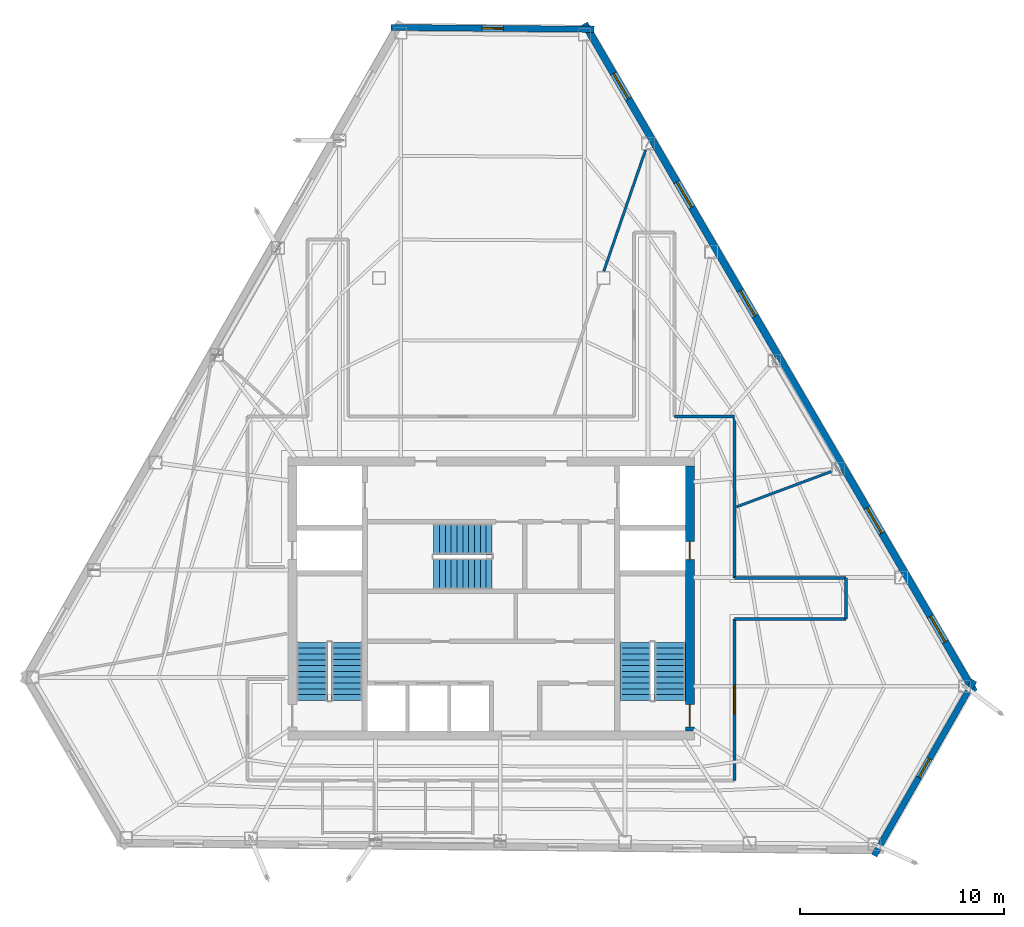
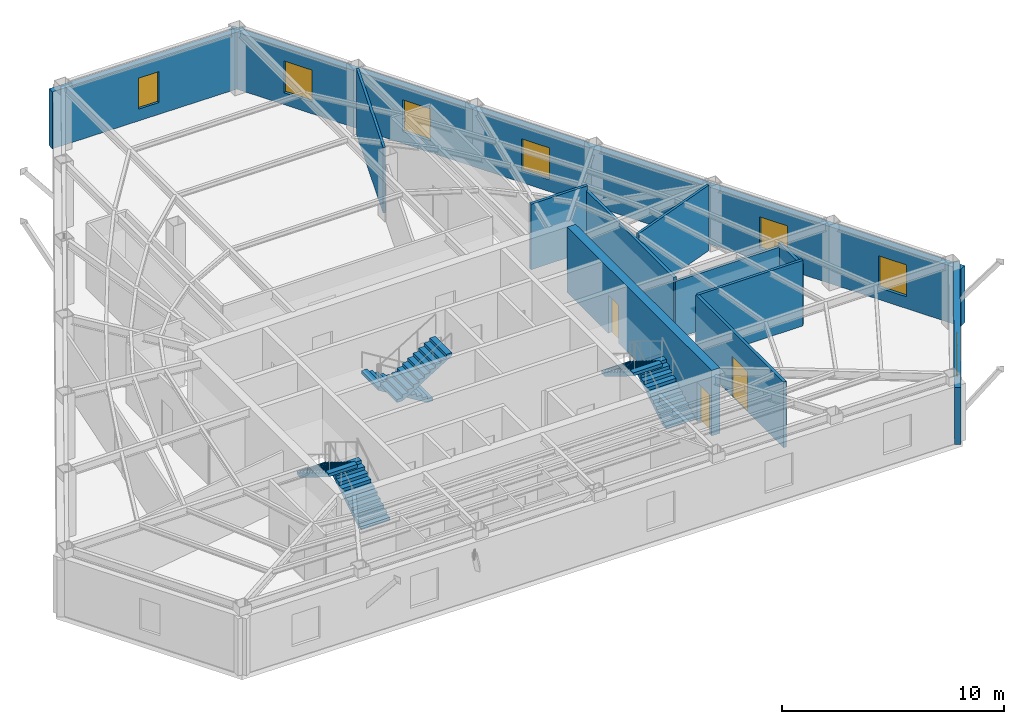
# One storey, part 9 of 10: 12 walls, 7 windows, 6 stair flights, 3 doors, 10 openings, 3 elements without a shape of their own.
"""IFC4 building model written with IfcOpenShell, lengths in metres."""

from ifc_helpers import new_model, si_unit, direction, frame, frame_2d, origin, place, context, subcontext, project, spatial, polyline, rectangle, outline, extrude, material, layer, layer_set, type_object, element, fill, aggregate, save


model = new_model("IFC4")

# Units and contexts
model_context = context("Model", 3, precision=1e-05, world=origin(), true_north=direction((0.0, 1.0)))
body_context = subcontext(model_context, "Body", "Model", "MODEL_VIEW")
ifc_project = project(units=[si_unit("LENGTHUNIT", "METRE"), si_unit("AREAUNIT", "SQUARE_METRE"), si_unit("VOLUMEUNIT", "CUBIC_METRE"), si_unit("PLANEANGLEUNIT", "RADIAN"), si_unit("MASSUNIT", "GRAM", prefix="KILO")], contexts=[model_context])

# Site, building, storey
site_placement = place(None, origin())
site = spatial("IfcSite", under=ifc_project, at=site_placement, CompositionType="ELEMENT")
building_placement = place(site_placement, origin())
building = spatial("IfcBuilding", under=site, at=building_placement, Name="Kavelnor Concourse Tower", CompositionType="ELEMENT")
storey_placement = place(building_placement, frame((0.0, 0.0, 188.10009765625)))
storey = spatial("IfcBuildingStorey", under=building, at=storey_placement, Name="L47", CompositionType="ELEMENT", Elevation=188.10009765625)

# Wall, openings, doors
ifc_material_1 = material(Name="Concrete C50/60", Category="concrete")
ifc_layer_1 = layer(ifc_material_1, 0.43994140625, Name="Concrete C50/60")
ifc_layer_set_1 = layer_set([ifc_layer_1], Name="Concrete C50/60")
wall_type_1 = type_object("IfcWallType", Name="WL-CORE-Z3-440", PredefinedType="SOLIDWALL", material=ifc_layer_set_1)
wall_1_placement = place(storey_placement, frame((47.739990234375, 9.60009765625, 0.0), z_axis=(0.0, 0.0, 1.0), x_axis=(0.0, 1.0, 0.0)))
wall_1 = element("IfcWall", 1, at=wall_1_placement, inside=storey, type_object=wall_type_1, Name="L47 Central Core East Shear Wall", PredefinedType="SOLIDWALL", context=body_context, shape_type="SweptSolid", body=[
    extrude(rectangle(XDim=13.0, YDim=0.43994140625, at=frame_2d((6.5, 0.0))), origin(), (0.0, 0.0, 1.0), 3.599853515625),
])
opening_1_placement = place(wall_1_placement, frame((0.199951171875, 0.0, 0.0)))
opening_1 = element("IfcOpeningElement", 2, at=opening_1_placement, cuts=wall_1, Name="Opening FD-110", PredefinedType="OPENING", context=body_context, shape_type="SweptSolid", body=[
    extrude(rectangle(XDim=1.10009765625, YDim=2.14990234375, at=frame_2d((0.550048828125, 1.074951171875))), frame((0.0, 0.22998046875, 0.0), z_axis=(0.0, -1.0, 0.0), x_axis=(1.0, 0.0, 0.0)), (0.0, 0.0, 1.0), 0.4599609375),
])
opening_2_placement = place(wall_1_placement, frame((8.39990234375, 0.0, 0.0)))
opening_2 = element("IfcOpeningElement", 3, at=opening_2_placement, cuts=wall_1, Name="Opening FD-090", PredefinedType="OPENING", context=body_context, shape_type="SweptSolid", body=[
    extrude(rectangle(XDim=0.89990234375, YDim=2.10009765625, at=frame_2d((0.449951171875, 1.050048828125))), frame((0.0, 0.22998046875, 0.0), z_axis=(0.0, -1.0, 0.0), x_axis=(1.0, 0.0, 0.0)), (0.0, 0.0, 1.0), 0.4599609375),
])
ifc_material_2 = material(Name="Steel Grade 350", Category="steel")
door_type_1 = type_object("IfcDoorType", Name="DR-RISER-FIRE-900", OperationType="NOTDEFINED", PredefinedType="DOOR", material=ifc_material_2)
door_1_placement = place(opening_2_placement, origin())
door_1 = element("IfcDoor", 4, at=door_1_placement, inside=storey, type_object=door_type_1, Name="L47 East Riser Access Door", OperationType="SINGLE_SWING_LEFT", OverallHeight=2.10009765625, OverallWidth=0.89990234375, PredefinedType="DOOR", context=body_context, shape_type="SweptSolid", body=[
    extrude(rectangle(XDim=0.89990234375, YDim=2.10009765625, at=frame_2d((0.449951171875, 1.050048828125))), frame((0.0, 0.02490234375, 0.0), z_axis=(0.0, -1.0, 0.0), x_axis=(1.0, 0.0, 0.0)), (0.0, 0.0, 1.0), 0.050048828125),
])
fill(opening_2, door_1)
door_type_2 = type_object("IfcDoorType", Name="DR-STAIR-FIRE-1100", OperationType="NOTDEFINED", PredefinedType="DOOR", material=ifc_material_2)
door_2_placement = place(opening_1_placement, origin())
door_2 = element("IfcDoor", 5, at=door_2_placement, inside=storey, type_object=door_type_2, Name="L47 Stair ST2 Fire Door", OperationType="SINGLE_SWING_RIGHT", OverallHeight=2.14990234375, OverallWidth=1.10009765625, PredefinedType="DOOR", context=body_context, shape_type="SweptSolid", body=[
    extrude(rectangle(XDim=1.10009765625, YDim=2.14990234375, at=frame_2d((0.550048828125, 1.074951171875))), frame((0.0, 0.02490234375, 0.0), z_axis=(0.0, -1.0, 0.0), x_axis=(1.0, 0.0, 0.0)), (0.0, 0.0, 1.0), 0.050048828125),
])
fill(opening_1, door_2)

# Wall, opening, window
ifc_material_3 = material(Name="Buff ironspot clay face brick masonry", Category="masonry")
ifc_layer_2 = layer(ifc_material_3, 0.300048828125, Name="Buff ironspot clay face brick masonry")
ifc_layer_set_2 = layer_set([ifc_layer_2], Name="Buff ironspot clay face brick masonry")
wall_type_2 = type_object("IfcWallType", Name="WL-EXT-BUFF-BRICK-FOLD-300", PredefinedType="STANDARD", material=ifc_layer_set_2)
wall_2_placement = place(storey_placement, frame((33.09326171875, 44.08447265625, 0.0), z_axis=(0.0, 0.0, 1.0), x_axis=(0.999957994936, -0.009165607679, 0.0)))
wall_2 = element("IfcWall", 6, at=wall_2_placement, inside=storey, type_object=wall_type_2, Name="L47 Exterior Brick Facade Wall E0", PredefinedType="STANDARD", context=body_context, shape_type="SweptSolid", body=[
    extrude(rectangle(XDim=9.962158203125, YDim=0.300048828125, at=frame_2d((4.98095703125, 0.0))), origin(), (0.0, 0.0, 1.0), 3.1318359375),
])
opening_3_placement = place(wall_2_placement, frame((4.4560546875, 0.0, 0.64990234375)))
opening_3 = element("IfcOpeningElement", 7, at=opening_3_placement, cuts=wall_2, Name="Opening W-06", PredefinedType="OPENING", context=body_context, shape_type="SweptSolid", body=[
    extrude(rectangle(XDim=1.050048828125, YDim=1.699951171875, at=frame_2d((0.52490234375, 0.85009765625))), frame((0.0, 0.16015625, 0.0), z_axis=(0.0, -1.0, 0.0), x_axis=(1.0, 0.0, 0.0)), (0.0, 0.0, 1.0), 0.320068359375),
])
ifc_material_4 = material(Name="Double low-E argon insulated glazing", Category="glass")
window_type_1 = type_object("IfcWindowType", Name="WIN-FOLD-1050", PartitioningType="SINGLE_PANEL", PredefinedType="WINDOW", material=ifc_material_4)
window_1_placement = place(opening_3_placement, origin())
window_1 = element("IfcWindow", 8, at=window_1_placement, inside=storey, type_object=window_type_1, Name="L47 Chamfer-Fold Facet Window C0", OverallHeight=1.699951171875, OverallWidth=1.050048828125, PartitioningType="SINGLE_PANEL", PredefinedType="WINDOW", context=body_context, shape_type="SweptSolid", body=[
    extrude(rectangle(XDim=1.050048828125, YDim=1.699951171875, at=frame_2d((0.52490234375, 0.85009765625))), frame((0.0, 0.030029296875, 0.0), z_axis=(0.0, -1.0, 0.0), x_axis=(1.0, 0.0, 0.0)), (0.0, 0.0, 1.0), 0.06005859375),
])
fill(opening_3, window_1)

wall_3_placement = place(storey_placement, frame((61.6787109375, 12.079345703125, 0.0), z_axis=(0.0, 0.0, 1.0), x_axis=(-0.495989996522, -0.8683282348, 0.0)))
wall_3 = element("IfcWall", 9, at=wall_3_placement, inside=storey, type_object=wall_type_2, Name="L47 Exterior Brick Facade Wall E4", PredefinedType="STANDARD", context=body_context, shape_type="SweptSolid", body=[
    extrude(rectangle(XDim=9.885986328125, YDim=0.300048828125, at=frame_2d((4.94287109375, 0.0))), origin(), (0.0, 0.0, 1.0), 3.1318359375),
])
opening_4_placement = place(wall_3_placement, frame((4.41796875, 0.0, 0.64990234375)))
opening_4 = element("IfcOpeningElement", 10, at=opening_4_placement, cuts=wall_3, Name="Opening W-06", PredefinedType="OPENING", context=body_context, shape_type="SweptSolid", body=[
    extrude(rectangle(XDim=1.050048828125, YDim=1.699951171875, at=frame_2d((0.52490234375, 0.85009765625))), frame((0.0, 0.16015625, 0.0), z_axis=(0.0, -1.0, 0.0), x_axis=(1.0, 0.0, 0.0)), (0.0, 0.0, 1.0), 0.320068359375),
])
window_2_placement = place(opening_4_placement, origin())
window_2 = element("IfcWindow", 11, at=window_2_placement, inside=storey, type_object=window_type_1, Name="L47 Chamfer-Fold Facet Window C2", OverallHeight=1.699951171875, OverallWidth=1.050048828125, PartitioningType="SINGLE_PANEL", PredefinedType="WINDOW", context=body_context, shape_type="SweptSolid", body=[
    extrude(rectangle(XDim=1.050048828125, YDim=1.699951171875, at=frame_2d((0.52490234375, 0.85009765625))), frame((0.0, 0.030029296875, 0.0), z_axis=(0.0, -1.0, 0.0), x_axis=(1.0, 0.0, 0.0)), (0.0, 0.0, 1.0), 0.06005859375),
])
fill(opening_4, window_2)

# Wall, openings, windows
ifc_material_5 = material(Name="Red-ochre clay face brick masonry", Category="masonry")
ifc_layer_3 = layer(ifc_material_5, 0.35009765625, Name="Red-ochre clay face brick masonry")
ifc_layer_set_3 = layer_set([ifc_layer_3], Name="Red-ochre clay face brick masonry")
wall_type_3 = type_object("IfcWallType", Name="WL-EXT-RED-BRICK-PIER-350", PredefinedType="STANDARD", material=ifc_layer_set_3)
wall_4_placement = place(storey_placement, frame((42.57470703125, 44.271728515625, 0.0), z_axis=(0.0, 0.0, 1.0), x_axis=(0.503934681705, -0.863741764982, 0.0)))
wall_4 = element("IfcWall", 12, at=wall_4_placement, inside=storey, type_object=wall_type_3, Name="L47 Exterior Brick Facade Wall E5", PredefinedType="STANDARD", context=body_context, shape_type="SweptSolid", body=[
    extrude(rectangle(XDim=37.9150390625, YDim=0.35009765625, at=frame_2d((18.95751953125, 0.0))), origin(), (0.0, 0.0, 1.0), 3.1318359375),
])
opening_5_placement = place(wall_4_placement, frame((33.632568359375, 0.0, 0.64990234375)))
opening_5 = element("IfcOpeningElement", 13, at=opening_5_placement, cuts=wall_4, Name="Opening W-03", PredefinedType="OPENING", context=body_context, shape_type="SweptSolid", body=[
    extrude(rectangle(XDim=1.449951171875, YDim=1.75, at=frame_2d((0.72509765625, 0.875))), frame((0.0, 0.18505859375, 0.0), z_axis=(0.0, -1.0, 0.0), x_axis=(1.0, 0.0, 0.0)), (0.0, 0.0, 1.0), 0.3701171875),
])
opening_6_placement = place(wall_4_placement, frame((27.4716796875, 0.0, 0.64990234375)))
opening_6 = element("IfcOpeningElement", 14, at=opening_6_placement, cuts=wall_4, Name="Opening W-03", PredefinedType="OPENING", context=body_context, shape_type="SweptSolid", body=[
    extrude(rectangle(XDim=1.449951171875, YDim=1.75, at=frame_2d((0.72509765625, 0.875))), frame((0.0, 0.18505859375, 0.0), z_axis=(0.0, -1.0, 0.0), x_axis=(1.0, 0.0, 0.0)), (0.0, 0.0, 1.0), 0.3701171875),
])
opening_7_placement = place(wall_4_placement, frame((15.14990234375, 0.0, 0.64990234375)))
opening_7 = element("IfcOpeningElement", 15, at=opening_7_placement, cuts=wall_4, Name="Opening W-03", PredefinedType="OPENING", context=body_context, shape_type="SweptSolid", body=[
    extrude(rectangle(XDim=1.449951171875, YDim=1.75, at=frame_2d((0.72509765625, 0.875))), frame((0.0, 0.18505859375, 0.0), z_axis=(0.0, -1.0, 0.0), x_axis=(1.0, 0.0, 0.0)), (0.0, 0.0, 1.0), 0.3701171875),
])
opening_8_placement = place(wall_4_placement, frame((8.989013671875, 0.0, 0.64990234375)))
opening_8 = element("IfcOpeningElement", 16, at=opening_8_placement, cuts=wall_4, Name="Opening W-03", PredefinedType="OPENING", context=body_context, shape_type="SweptSolid", body=[
    extrude(rectangle(XDim=1.449951171875, YDim=1.75, at=frame_2d((0.72509765625, 0.875))), frame((0.0, 0.18505859375, 0.0), z_axis=(0.0, -1.0, 0.0), x_axis=(1.0, 0.0, 0.0)), (0.0, 0.0, 1.0), 0.3701171875),
])
opening_9_placement = place(wall_4_placement, frame((2.828125, 0.0, 0.64990234375)))
opening_9 = element("IfcOpeningElement", 17, at=opening_9_placement, cuts=wall_4, Name="Opening W-03", PredefinedType="OPENING", context=body_context, shape_type="SweptSolid", body=[
    extrude(rectangle(XDim=1.449951171875, YDim=1.75, at=frame_2d((0.72509765625, 0.875))), frame((0.0, 0.18505859375, 0.0), z_axis=(0.0, -1.0, 0.0), x_axis=(1.0, 0.0, 0.0)), (0.0, 0.0, 1.0), 0.3701171875),
])
window_type_2 = type_object("IfcWindowType", Name="WIN-PIER-Z3-1500", PartitioningType="SINGLE_PANEL", PredefinedType="WINDOW", material=ifc_material_4)
window_3_placement = place(opening_5_placement, origin())
window_3 = element("IfcWindow", 18, at=window_3_placement, inside=storey, type_object=window_type_2, Name="L47 Deep-Set Brick Pier Window F2-B0", OverallHeight=1.75, OverallWidth=1.449951171875, PartitioningType="SINGLE_PANEL", PredefinedType="WINDOW", context=body_context, shape_type="SweptSolid", body=[
    extrude(rectangle(XDim=1.449951171875, YDim=1.75, at=frame_2d((0.72509765625, 0.875))), frame((0.0, 0.030029296875, 0.0), z_axis=(0.0, -1.0, 0.0), x_axis=(1.0, 0.0, 0.0)), (0.0, 0.0, 1.0), 0.06005859375),
])
fill(opening_5, window_3)
window_4_placement = place(opening_6_placement, origin())
window_4 = element("IfcWindow", 19, at=window_4_placement, inside=storey, type_object=window_type_2, Name="L47 Deep-Set Brick Pier Window F2-B1", OverallHeight=1.75, OverallWidth=1.449951171875, PartitioningType="SINGLE_PANEL", PredefinedType="WINDOW", context=body_context, shape_type="SweptSolid", body=[
    extrude(rectangle(XDim=1.449951171875, YDim=1.75, at=frame_2d((0.72509765625, 0.875))), frame((0.0, 0.030029296875, 0.0), z_axis=(0.0, -1.0, 0.0), x_axis=(1.0, 0.0, 0.0)), (0.0, 0.0, 1.0), 0.06005859375),
])
fill(opening_6, window_4)
window_5_placement = place(opening_7_placement, origin())
window_5 = element("IfcWindow", 20, at=window_5_placement, inside=storey, type_object=window_type_2, Name="L47 Deep-Set Brick Pier Window F2-B3", OverallHeight=1.75, OverallWidth=1.449951171875, PartitioningType="SINGLE_PANEL", PredefinedType="WINDOW", context=body_context, shape_type="SweptSolid", body=[
    extrude(rectangle(XDim=1.449951171875, YDim=1.75, at=frame_2d((0.72509765625, 0.875))), frame((0.0, 0.030029296875, 0.0), z_axis=(0.0, -1.0, 0.0), x_axis=(1.0, 0.0, 0.0)), (0.0, 0.0, 1.0), 0.06005859375),
])
fill(opening_7, window_5)
window_6_placement = place(opening_8_placement, origin())
window_6 = element("IfcWindow", 21, at=window_6_placement, inside=storey, type_object=window_type_2, Name="L47 Deep-Set Brick Pier Window F2-B4", OverallHeight=1.75, OverallWidth=1.449951171875, PartitioningType="SINGLE_PANEL", PredefinedType="WINDOW", context=body_context, shape_type="SweptSolid", body=[
    extrude(rectangle(XDim=1.449951171875, YDim=1.75, at=frame_2d((0.72509765625, 0.875))), frame((0.0, 0.030029296875, 0.0), z_axis=(0.0, -1.0, 0.0), x_axis=(1.0, 0.0, 0.0)), (0.0, 0.0, 1.0), 0.06005859375),
])
fill(opening_8, window_6)
window_7_placement = place(opening_9_placement, origin())
window_7 = element("IfcWindow", 22, at=window_7_placement, inside=storey, type_object=window_type_2, Name="L47 Deep-Set Brick Pier Window F2-B5", OverallHeight=1.75, OverallWidth=1.449951171875, PartitioningType="SINGLE_PANEL", PredefinedType="WINDOW", context=body_context, shape_type="SweptSolid", body=[
    extrude(rectangle(XDim=1.449951171875, YDim=1.75, at=frame_2d((0.72509765625, 0.875))), frame((0.0, 0.030029296875, 0.0), z_axis=(0.0, -1.0, 0.0), x_axis=(1.0, 0.0, 0.0)), (0.0, 0.0, 1.0), 0.06005859375),
])
fill(opening_9, window_7)

# Walls
ifc_material_6 = material(Name="Gypsum plasterboard on light-gauge steel studs", Category="steel")
ifc_layer_4 = layer(ifc_material_6, 0.14501953125, Name="Gypsum plasterboard on light-gauge steel studs")
ifc_layer_set_4 = layer_set([ifc_layer_4], Name="Gypsum plasterboard on light-gauge steel studs")
wall_type_4 = type_object("IfcWallType", Name="WL-INT-CORR-145", PredefinedType="PARTITIONING", material=ifc_layer_set_4)
wall_5_placement = place(storey_placement, frame((47.0, 25.02001953125, 0.0), z_axis=(0.0, 0.0, 1.0), x_axis=(1.0, 0.0, 0.0)))
element("IfcWall", 23, at=wall_5_placement, inside=storey, type_object=wall_type_4, Name="L47 Corridor Wall WL-L47-CR-11", PredefinedType="PARTITIONING", context=body_context, shape_type="SweptSolid", body=[
    extrude(rectangle(XDim=2.93994140625, YDim=0.14501953125, at=frame_2d((1.469970703125, 0.0))), origin(), (0.0, 0.0, 1.0), 3.599853515625),
])
wall_6_placement = place(storey_placement, frame((49.93994140625, 25.02001953125, 0.0), z_axis=(0.0, 0.0, 1.0), x_axis=(0.0, -1.0, 0.0)))
element("IfcWall", 24, at=wall_6_placement, inside=storey, type_object=wall_type_4, Name="L47 Corridor Wall WL-L47-CR-12", PredefinedType="PARTITIONING", context=body_context, shape_type="SweptSolid", body=[
    extrude(rectangle(XDim=7.919921875, YDim=0.14501953125, at=frame_2d((3.9599609375, 0.0))), origin(), (0.0, 0.0, 1.0), 3.3388671875),
])
wall_7_placement = place(storey_placement, frame((49.93994140625, 17.10009765625, 0.0), z_axis=(0.0, 0.0, 1.0), x_axis=(1.0, 0.0, 0.0)))
element("IfcWall", 25, at=wall_7_placement, inside=storey, type_object=wall_type_4, Name="L47 Corridor Wall WL-L47-CR-13", PredefinedType="PARTITIONING", context=body_context, shape_type="SweptSolid", body=[
    extrude(rectangle(XDim=5.4599609375, YDim=0.14501953125, at=frame_2d((2.72998046875, 0.0))), origin(), (0.0, 0.0, 1.0), 3.140869140625),
])
wall_8_placement = place(storey_placement, frame((55.39990234375, 17.10009765625, 0.0), z_axis=(0.0, 0.0, 1.0), x_axis=(0.0, -1.0, 0.0)))
element("IfcWall", 26, at=wall_8_placement, inside=storey, type_object=wall_type_4, Name="L47 Corridor Wall WL-L47-CR-14", PredefinedType="PARTITIONING", context=body_context, shape_type="SweptSolid", body=[
    extrude(rectangle(XDim=2.0, YDim=0.14501953125, at=frame_2d((1.0, 0.0))), origin(), (0.0, 0.0, 1.0), 3.3388671875),
])
wall_9_placement = place(storey_placement, frame((55.39990234375, 15.10009765625, 0.0), z_axis=(0.0, 0.0, 1.0), x_axis=(-1.0, 0.0, 0.0)))
element("IfcWall", 27, at=wall_9_placement, inside=storey, type_object=wall_type_4, Name="L47 Corridor Wall WL-L47-CR-15", PredefinedType="PARTITIONING", context=body_context, shape_type="SweptSolid", body=[
    extrude(rectangle(XDim=5.4599609375, YDim=0.14501953125, at=frame_2d((2.72998046875, 0.0))), origin(), (0.0, 0.0, 1.0), 3.599853515625),
])

# Wall, opening, door
wall_10_placement = place(storey_placement, frame((49.93994140625, 15.10009765625, 0.0), z_axis=(0.0, 0.0, 1.0), x_axis=(0.0, -1.0, 0.0)))
wall_10 = element("IfcWall", 28, at=wall_10_placement, inside=storey, type_object=wall_type_4, Name="L47 Corridor Wall WL-L47-CR-16", PredefinedType="PARTITIONING", context=body_context, shape_type="SweptSolid", body=[
    extrude(rectangle(XDim=7.920166015625, YDim=0.14501953125, at=frame_2d((3.9599609375, 0.0))), origin(), (0.0, 0.0, 1.0), 3.599853515625),
])
opening_10_placement = place(wall_10_placement, frame((3.260009765625, 0.0, 0.0)))
opening_10 = element("IfcOpeningElement", 29, at=opening_10_placement, cuts=wall_10, Name="Opening SD-140", PredefinedType="OPENING", context=body_context, shape_type="SweptSolid", body=[
    extrude(rectangle(XDim=1.39990234375, YDim=2.199951171875, at=frame_2d((0.699951171875, 1.10009765625))), frame((0.0, 0.08251953125, 0.0), z_axis=(0.0, -1.0, 0.0), x_axis=(1.0, 0.0, 0.0)), (0.0, 0.0, 1.0), 0.1650390625),
])
ifc_material_7 = material(Name="Solid-core hardwood timber", Category="wood")
door_type_3 = type_object("IfcDoorType", Name="DR-SUITE-ENTRY-1400", OperationType="NOTDEFINED", PredefinedType="DOOR", material=ifc_material_7)
door_3_placement = place(opening_10_placement, origin())
door_3 = element("IfcDoor", 30, at=door_3_placement, inside=storey, type_object=door_type_3, Name="L47 Staff Breakout Pantry 07 Door", OperationType="SINGLE_SWING_LEFT", OverallHeight=2.199951171875, OverallWidth=1.39990234375, PredefinedType="DOOR", context=body_context, shape_type="SweptSolid", body=[
    extrude(rectangle(XDim=1.39990234375, YDim=2.199951171875, at=frame_2d((0.699951171875, 1.10009765625))), frame((0.0, 0.02490234375, 0.0), z_axis=(0.0, -1.0, 0.0), x_axis=(1.0, 0.0, 0.0)), (0.0, 0.0, 1.0), 0.050048828125),
])
fill(opening_10, door_3)

# Walls
ifc_layer_5 = layer(ifc_material_6, 0.125, Name="Gypsum plasterboard on light-gauge steel studs")
ifc_layer_set_5 = layer_set([ifc_layer_5], Name="Gypsum plasterboard on light-gauge steel studs")
wall_type_5 = type_object("IfcWallType", Name="WL-INT-SUITE-125", PredefinedType="PARTITIONING", material=ifc_layer_set_5)
wall_11_placement = place(storey_placement, frame((50.0205078125, 20.584716796875, 0.0), z_axis=(0.0, 0.0, 1.0), x_axis=(0.936930245376, 0.349516402047, 0.0)))
element("IfcWall", 31, at=wall_11_placement, inside=storey, type_object=wall_type_5, Name="L47 Radial Suite Partition 01", PredefinedType="PARTITIONING", context=body_context, shape_type="SweptSolid", body=[
    extrude(rectangle(XDim=4.962890625, YDim=0.125, at=frame_2d((2.4814453125, 0.0))), origin(), (0.0, 0.0, 1.0), 3.599853515625),
])
wall_12_placement = place(storey_placement, frame((43.521484375, 32.1279296875, 0.0), z_axis=(0.0, 0.0, 1.0), x_axis=(0.325720467461, 0.945466116303, 0.0)))
element("IfcWall", 32, at=wall_12_placement, inside=storey, type_object=wall_type_5, Name="L47 Radial Suite Partition 02", PredefinedType="PARTITIONING", context=body_context, shape_type="SweptSolid", body=[
    extrude(rectangle(XDim=6.293212890625, YDim=0.125, at=frame_2d((3.146484375, 0.0))), origin(), (0.0, 0.0, 1.0), 3.599853515625),
])

# Stair, stair flights
ifc_material_8 = material(Name="Concrete C40/50", Category="concrete")
stair_type = type_object("IfcStairType", Name="STR-CORE-1500", PredefinedType="HALF_TURN_STAIR", material=ifc_material_8)
stair_1_placement = place(storey_placement, origin())
stair_1 = element("IfcStair", 33, at=stair_1_placement, inside=storey, type_object=stair_type, Name="L47 ST1", PredefinedType="HALF_TURN_STAIR")
stair_flight_type = type_object("IfcStairFlightType", Name="STR-FLIGHT-1500", PredefinedType="STRAIGHT", material=ifc_material_8)
stair_flight_1_placement = place(storey_placement, frame((30.929931640625, 11.10009765625, 0.0), z_axis=(0.0, 0.0, 1.0), x_axis=(0.0, 1.0, 0.0)))
stair_flight_1 = element("IfcStairFlight", 34, at=stair_flight_1_placement, type_object=stair_flight_type, Name="ST1 flight 1", NumberOfRisers=11, NumberOfTreads=10, PredefinedType="STRAIGHT", RiserHeight=0.175, TreadLength=0.285, context=body_context, shape_type="SweptSolid", body=[
    extrude(outline(polyline([(0.0, 0.0), (0.0, 0.175048828125), (0.284912109375, 0.175048828125), (0.284912109375, 0.35009765625), (0.570068359375, 0.35009765625), (0.570068359375, 0.52490234375), (0.85498046875, 0.52490234375), (0.85498046875, 0.699951171875), (1.139892578125, 0.699951171875), (1.139892578125, 0.875), (1.425048828125, 0.875), (1.425048828125, 1.050048828125), (1.7099609375, 1.050048828125), (1.7099609375, 1.22509765625), (1.9951171875, 1.22509765625), (1.9951171875, 1.39990234375), (2.280029296875, 1.39990234375), (2.280029296875, 1.574951171875), (2.56494140625, 1.574951171875), (2.56494140625, 1.75), (2.85009765625, 1.75), (2.85009765625, 1.925048828125), (2.85009765625, 1.573974609375), (0.286376953125, 0.0), (0.0, 0.0)])), frame((0.0, 0.75, 0.0), z_axis=(0.0, -1.0, 0.0), x_axis=(1.0, 0.0, 0.0)), (0.0, 0.0, 1.0), 1.5),
])
stair_flight_2_placement = place(storey_placement, frame((29.22998046875, 13.949951171875, 1.9248046875), z_axis=(0.0, 0.0, 1.0), x_axis=(0.0, -1.0, 0.0)))
stair_flight_2 = element("IfcStairFlight", 35, at=stair_flight_2_placement, type_object=stair_flight_type, Name="ST1 flight 2", NumberOfRisers=11, NumberOfTreads=10, PredefinedType="STRAIGHT", RiserHeight=0.175, TreadLength=0.285, context=body_context, shape_type="SweptSolid", body=[
    extrude(outline(polyline([(0.0, 0.0), (0.0, 0.175048828125), (0.284912109375, 0.175048828125), (0.284912109375, 0.35009765625), (0.570068359375, 0.35009765625), (0.570068359375, 0.52490234375), (0.85498046875, 0.52490234375), (0.85498046875, 0.699951171875), (1.139892578125, 0.699951171875), (1.139892578125, 0.875), (1.425048828125, 0.875), (1.425048828125, 1.050048828125), (1.7099609375, 1.050048828125), (1.7099609375, 1.22509765625), (1.9951171875, 1.22509765625), (1.9951171875, 1.39990234375), (2.280029296875, 1.39990234375), (2.280029296875, 1.574951171875), (2.56494140625, 1.574951171875), (2.56494140625, 1.75), (2.85009765625, 1.75), (2.85009765625, 1.925048828125), (2.85009765625, 1.573974609375), (0.286376953125, 0.0), (0.0, 0.0)])), frame((0.0, 0.75, 0.0), z_axis=(0.0, -1.0, 0.0), x_axis=(1.0, 0.0, 0.0)), (0.0, 0.0, 1.0), 1.5),
])
aggregate(stair_1, [stair_flight_1, stair_flight_2])

stair_2_placement = place(storey_placement, origin())
stair_2 = element("IfcStair", 36, at=stair_2_placement, inside=storey, type_object=stair_type, Name="L47 ST2", PredefinedType="HALF_TURN_STAIR")
stair_flight_3_placement = place(storey_placement, frame((46.77001953125, 11.10009765625, 0.0), z_axis=(0.0, 0.0, 1.0), x_axis=(0.0, 1.0, 0.0)))
stair_flight_3 = element("IfcStairFlight", 37, at=stair_flight_3_placement, type_object=stair_flight_type, Name="ST2 flight 1", NumberOfRisers=11, NumberOfTreads=10, PredefinedType="STRAIGHT", RiserHeight=0.175, TreadLength=0.285, context=body_context, shape_type="SweptSolid", body=[
    extrude(outline(polyline([(0.0, 0.0), (0.0, 0.175048828125), (0.284912109375, 0.175048828125), (0.284912109375, 0.35009765625), (0.570068359375, 0.35009765625), (0.570068359375, 0.52490234375), (0.85498046875, 0.52490234375), (0.85498046875, 0.699951171875), (1.139892578125, 0.699951171875), (1.139892578125, 0.875), (1.425048828125, 0.875), (1.425048828125, 1.050048828125), (1.7099609375, 1.050048828125), (1.7099609375, 1.22509765625), (1.9951171875, 1.22509765625), (1.9951171875, 1.39990234375), (2.280029296875, 1.39990234375), (2.280029296875, 1.574951171875), (2.56494140625, 1.574951171875), (2.56494140625, 1.75), (2.85009765625, 1.75), (2.85009765625, 1.925048828125), (2.85009765625, 1.573974609375), (0.286376953125, 0.0), (0.0, 0.0)])), frame((0.0, 0.75, 0.0), z_axis=(0.0, -1.0, 0.0), x_axis=(1.0, 0.0, 0.0)), (0.0, 0.0, 1.0), 1.5),
])
stair_flight_4_placement = place(storey_placement, frame((45.070068359375, 13.949951171875, 1.9248046875), z_axis=(0.0, 0.0, 1.0), x_axis=(0.0, -1.0, 0.0)))
stair_flight_4 = element("IfcStairFlight", 38, at=stair_flight_4_placement, type_object=stair_flight_type, Name="ST2 flight 2", NumberOfRisers=11, NumberOfTreads=10, PredefinedType="STRAIGHT", RiserHeight=0.175, TreadLength=0.285, context=body_context, shape_type="SweptSolid", body=[
    extrude(outline(polyline([(0.0, 0.0), (0.0, 0.175048828125), (0.284912109375, 0.175048828125), (0.284912109375, 0.35009765625), (0.570068359375, 0.35009765625), (0.570068359375, 0.52490234375), (0.85498046875, 0.52490234375), (0.85498046875, 0.699951171875), (1.139892578125, 0.699951171875), (1.139892578125, 0.875), (1.425048828125, 0.875), (1.425048828125, 1.050048828125), (1.7099609375, 1.050048828125), (1.7099609375, 1.22509765625), (1.9951171875, 1.22509765625), (1.9951171875, 1.39990234375), (2.280029296875, 1.39990234375), (2.280029296875, 1.574951171875), (2.56494140625, 1.574951171875), (2.56494140625, 1.75), (2.85009765625, 1.75), (2.85009765625, 1.925048828125), (2.85009765625, 1.573974609375), (0.286376953125, 0.0), (0.0, 0.0)])), frame((0.0, 0.75, 0.0), z_axis=(0.0, -1.0, 0.0), x_axis=(1.0, 0.0, 0.0)), (0.0, 0.0, 1.0), 1.5),
])
aggregate(stair_2, [stair_flight_3, stair_flight_4])

stair_3_placement = place(storey_placement, origin())
stair_3 = element("IfcStair", 39, at=stair_3_placement, inside=storey, type_object=stair_type, Name="L47 ST3", PredefinedType="HALF_TURN_STAIR")
stair_flight_5_placement = place(storey_placement, frame((38.0400390625, 19.010009765625, 0.0), z_axis=(0.0, 0.0, 1.0), x_axis=(-1.0, 0.0, 0.0)))
stair_flight_5 = element("IfcStairFlight", 40, at=stair_flight_5_placement, type_object=stair_flight_type, Name="ST3 flight 1", NumberOfRisers=11, NumberOfTreads=10, PredefinedType="STRAIGHT", RiserHeight=0.175, TreadLength=0.285, context=body_context, shape_type="SweptSolid", body=[
    extrude(outline(polyline([(0.0, 0.0), (0.0, 0.175048828125), (0.284912109375, 0.175048828125), (0.284912109375, 0.35009765625), (0.570068359375, 0.35009765625), (0.570068359375, 0.52490234375), (0.85498046875, 0.52490234375), (0.85498046875, 0.699951171875), (1.139892578125, 0.699951171875), (1.139892578125, 0.875), (1.425048828125, 0.875), (1.425048828125, 1.050048828125), (1.7099609375, 1.050048828125), (1.7099609375, 1.22509765625), (1.9951171875, 1.22509765625), (1.9951171875, 1.39990234375), (2.280029296875, 1.39990234375), (2.280029296875, 1.574951171875), (2.56494140625, 1.574951171875), (2.56494140625, 1.75), (2.85009765625, 1.75), (2.85009765625, 1.925048828125), (2.85009765625, 1.573974609375), (0.286376953125, 0.0), (0.0, 0.0)])), frame((0.0, 0.75, 0.0), z_axis=(0.0, -1.0, 0.0), x_axis=(1.0, 0.0, 0.0)), (0.0, 0.0, 1.0), 1.5),
])
stair_flight_6_placement = place(storey_placement, frame((35.18994140625, 17.31005859375, 1.9248046875), z_axis=(0.0, 0.0, 1.0), x_axis=(1.0, 0.0, 0.0)))
stair_flight_6 = element("IfcStairFlight", 41, at=stair_flight_6_placement, type_object=stair_flight_type, Name="ST3 flight 2", NumberOfRisers=11, NumberOfTreads=10, PredefinedType="STRAIGHT", RiserHeight=0.175, TreadLength=0.285, context=body_context, shape_type="SweptSolid", body=[
    extrude(outline(polyline([(0.0, 0.0), (0.0, 0.175048828125), (0.284912109375, 0.175048828125), (0.284912109375, 0.35009765625), (0.570068359375, 0.35009765625), (0.570068359375, 0.52490234375), (0.85498046875, 0.52490234375), (0.85498046875, 0.699951171875), (1.139892578125, 0.699951171875), (1.139892578125, 0.875), (1.425048828125, 0.875), (1.425048828125, 1.050048828125), (1.7099609375, 1.050048828125), (1.7099609375, 1.22509765625), (1.9951171875, 1.22509765625), (1.9951171875, 1.39990234375), (2.280029296875, 1.39990234375), (2.280029296875, 1.574951171875), (2.56494140625, 1.574951171875), (2.56494140625, 1.75), (2.85009765625, 1.75), (2.85009765625, 1.925048828125), (2.85009765625, 1.573974609375), (0.286376953125, 0.0), (0.0, 0.0)])), frame((0.0, 0.75, 0.0), z_axis=(0.0, -1.0, 0.0), x_axis=(1.0, 0.0, 0.0)), (0.0, 0.0, 1.0), 1.5),
])
aggregate(stair_3, [stair_flight_5, stair_flight_6])

save(model, "model.ifc")
